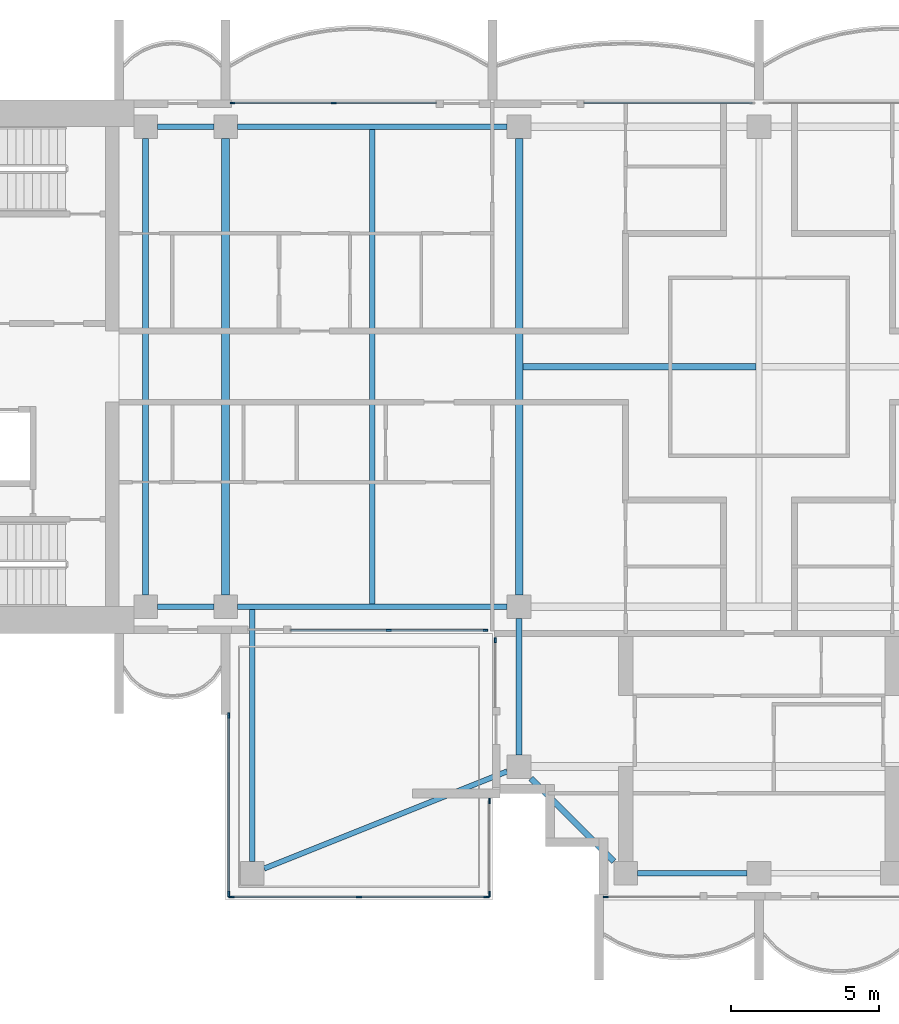
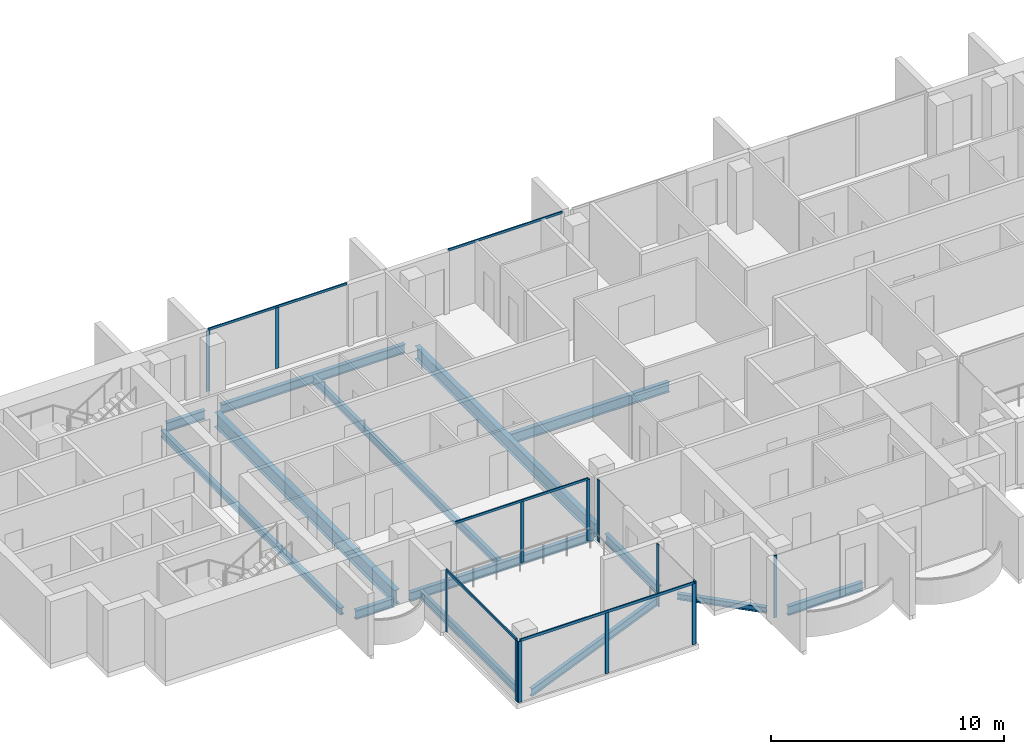
# One storey, part 2 of 16: 18 members, 14 beams, 8 elements without a shape of their own.
"""IFC4 building model written with IfcOpenShell, lengths in metres."""

from ifc_helpers import new_model, si_unit, direction, frame, origin, origin_2d, place, context, subcontext, project, spatial, rectangle, i_section, extrude, material, material_profile, profile_set, type_object, element, aggregate, save


model = new_model("IFC4")

# Units and contexts
model_context = context("Model", 3, precision=1e-05, world=origin(), true_north=direction((0.0, 1.0)))
body_context = subcontext(model_context, "Body", "Model", "MODEL_VIEW")
ifc_project = project(units=[si_unit("LENGTHUNIT", "METRE"), si_unit("AREAUNIT", "SQUARE_METRE"), si_unit("VOLUMEUNIT", "CUBIC_METRE"), si_unit("PLANEANGLEUNIT", "RADIAN"), si_unit("MASSUNIT", "GRAM", prefix="KILO")], contexts=[model_context])

# Site, building, storey
site_placement = place(None, origin())
site = spatial("IfcSite", under=ifc_project, at=site_placement, CompositionType="ELEMENT")
building_placement = place(site_placement, origin())
building = spatial("IfcBuilding", under=site, at=building_placement, Name="Perihelion Cross Residences", CompositionType="ELEMENT")
storey_placement = place(building_placement, frame((0.0, 0.0, 236.0)))
storey = spatial("IfcBuildingStorey", under=building, at=storey_placement, Name="L59", CompositionType="ELEMENT", Elevation=236.0)

# Curtain wall, members
ifc_material_1 = material(Name="Bronze anodised aluminium, tinted glazing", Category="aluminium")
curtain_wall_type_1 = type_object("IfcCurtainWallType", Name="CW1", PredefinedType="NOTDEFINED", material=ifc_material_1)
curtain_wall_1_placement = place(storey_placement, origin())
curtain_wall_1 = element("IfcCurtainWall", 1, at=curtain_wall_1_placement, inside=storey, type_object=curtain_wall_type_1, Name="Curtain wall CW1 L59 west side north bay 1", PredefinedType="NOTDEFINED")
ifc_material_2 = material(Name="Bronze anodised aluminium", Category="aluminium")
ifc_material_profile_1 = material_profile(ifc_material_2, rectangle(XDim=0.06005859375, YDim=0.159912109375, at=origin_2d()), Name="CW1 mullion")
ifc_profile_set_1 = profile_set([ifc_material_profile_1], Name="Bronze anodised aluminium")
member_type_1 = type_object("IfcMemberType", Name="CW1 mullion", PredefinedType="MULLION", material=ifc_profile_set_1)
member_1_placement = place(storey_placement, frame((-14.35009765625, 8.89990234375, 0.0), z_axis=(0.0, 0.0, 1.0), x_axis=(0.0, -1.0, 0.0)))
member_1 = element("IfcMember", 2, at=member_1_placement, type_object=member_type_1, Name="CW1 mullion 2", PredefinedType="MULLION", context=body_context, shape_type="SweptSolid", body=[
    extrude(rectangle(XDim=0.06005859375, YDim=0.159912109375, at=origin_2d()), origin(), (0.0, 0.0, 1.0), 3.18994140625),
])
member_2_placement = place(storey_placement, frame((-17.77001953125, 8.89990234375, 0.0), z_axis=(0.0, 0.0, 1.0), x_axis=(0.0, -1.0, 0.0)))
member_2 = element("IfcMember", 3, at=member_2_placement, type_object=member_type_1, Name="CW1 mullion 3", PredefinedType="MULLION", context=body_context, shape_type="SweptSolid", body=[
    extrude(rectangle(XDim=0.06005859375, YDim=0.159912109375, at=origin_2d()), origin(), (0.0, 0.0, 1.0), 3.18994140625),
])

curtain_wall_2_placement = place(storey_placement, origin())
curtain_wall_2 = element("IfcCurtainWall", 4, at=curtain_wall_2_placement, inside=storey, type_object=curtain_wall_type_1, Name="Curtain wall CW1 L59 west side south bay 2", PredefinedType="NOTDEFINED")
member_3_placement = place(storey_placement, frame((-12.5, -8.89990234375, 0.0), z_axis=(0.0, 0.0, 1.0), x_axis=(0.0, 1.0, 0.0)))
member_3 = element("IfcMember", 5, at=member_3_placement, type_object=member_type_1, Name="CW1 mullion 2", PredefinedType="MULLION", context=body_context, shape_type="SweptSolid", body=[
    extrude(rectangle(XDim=0.06005859375, YDim=0.159912109375, at=origin_2d()), origin(), (0.0, 0.0, 1.0), 3.18994140625),
])
member_4_placement = place(storey_placement, frame((-9.22998046875, -8.89990234375, 0.0), z_axis=(0.0, 0.0, 1.0), x_axis=(0.0, 1.0, 0.0)))
member_4 = element("IfcMember", 6, at=member_4_placement, type_object=member_type_1, Name="CW1 mullion 3", PredefinedType="MULLION", context=body_context, shape_type="SweptSolid", body=[
    extrude(rectangle(XDim=0.06005859375, YDim=0.159912109375, at=origin_2d()), origin(), (0.0, 0.0, 1.0), 3.18994140625),
])

# Curtain wall, member
curtain_wall_3_placement = place(storey_placement, origin())
curtain_wall_3 = element("IfcCurtainWall", 7, at=curtain_wall_3_placement, inside=storey, type_object=curtain_wall_type_1, Name="Curtain wall CW1 L59 south side west bay 1", PredefinedType="NOTDEFINED")
member_5_placement = place(storey_placement, frame((-8.89990234375, -9.22998046875, 0.0), z_axis=(0.0, 0.0, 1.0), x_axis=(1.0, 0.0, 0.0)))
member_5 = element("IfcMember", 8, at=member_5_placement, type_object=member_type_1, Name="CW1 mullion 1", PredefinedType="MULLION", context=body_context, shape_type="SweptSolid", body=[
    extrude(rectangle(XDim=0.06005859375, YDim=0.159912109375, at=origin_2d()), origin(), (0.0, 0.0, 1.0), 3.25),
])
aggregate(curtain_wall_3, [member_5])

curtain_wall_4_placement = place(storey_placement, origin())
curtain_wall_4 = element("IfcCurtainWall", 9, at=curtain_wall_4_placement, inside=storey, type_object=curtain_wall_type_1, Name="Curtain wall CW1 L59 south tip south bay 1", PredefinedType="NOTDEFINED")
member_6_placement = place(storey_placement, frame((-5.169921875, -17.89990234375, 0.0), z_axis=(0.0, 0.0, 1.0), x_axis=(0.0, 1.0, 0.0)))
member_6 = element("IfcMember", 10, at=member_6_placement, type_object=member_type_1, Name="CW1 mullion 1", PredefinedType="MULLION", context=body_context, shape_type="SweptSolid", body=[
    extrude(rectangle(XDim=0.06005859375, YDim=0.159912109375, at=origin_2d()), origin(), (0.0, 0.0, 1.0), 3.25),
])
aggregate(curtain_wall_4, [member_6])

curtain_wall_5_placement = place(storey_placement, origin())
curtain_wall_5 = element("IfcCurtainWall", 11, at=curtain_wall_5_placement, inside=storey, type_object=curtain_wall_type_1, Name="Curtain wall CW1 L59 north side east bay 2", PredefinedType="NOTDEFINED")
ifc_material_3 = material(Name="Bronze anodised aluminium", Category="aluminium")
ifc_material_profile_2 = material_profile(ifc_material_3, rectangle(XDim=0.06005859375, YDim=0.1201171875, at=origin_2d()), Name="CW1 transom")
ifc_profile_set_2 = profile_set([ifc_material_profile_2], Name="Bronze anodised aluminium")
member_type_2 = type_object("IfcMemberType", Name="CW1 transom", PredefinedType="USERDEFINED", material=ifc_profile_set_2)
member_7_placement = place(storey_placement, frame((-0.22998046875, 8.89990234375, 3.219970703125), z_axis=(-1.0, 0.0, 0.0), x_axis=(0.0, -1.0, 0.0)))
member_7 = element("IfcMember", 12, at=member_7_placement, type_object=member_type_2, Name="CW1 head transom", ObjectType="TRANSOM", PredefinedType="USERDEFINED", context=body_context, shape_type="SweptSolid", body=[
    extrude(rectangle(XDim=0.06005859375, YDim=0.1201171875, at=origin_2d()), origin(), (0.0, 0.0, 1.0), 5.669921875),
])
aggregate(curtain_wall_5, [member_7])

# Member
member_8_placement = place(storey_placement, frame((-10.89990234375, 8.89990234375, 3.219970703125), z_axis=(-1.0, 0.0, 0.0), x_axis=(0.0, -1.0, 0.0)))
member_8 = element("IfcMember", 13, at=member_8_placement, type_object=member_type_2, Name="CW1 head transom", ObjectType="TRANSOM", PredefinedType="USERDEFINED", context=body_context, shape_type="SweptSolid", body=[
    extrude(rectangle(XDim=0.06005859375, YDim=0.1201171875, at=origin_2d()), origin(), (0.0, 0.0, 1.0), 6.8701171875),
])

aggregate(curtain_wall_1, [member_1, member_2, member_8])

member_9_placement = place(storey_placement, frame((-15.800048828125, -8.89990234375, 3.219970703125), z_axis=(1.0, 0.0, 0.0), x_axis=(0.0, 1.0, 0.0)))
member_9 = element("IfcMember", 14, at=member_9_placement, type_object=member_type_2, Name="CW1 head transom", ObjectType="TRANSOM", PredefinedType="USERDEFINED", context=body_context, shape_type="SweptSolid", body=[
    extrude(rectangle(XDim=0.06005859375, YDim=0.1201171875, at=origin_2d()), origin(), (0.0, 0.0, 1.0), 6.570068359375),
])

aggregate(curtain_wall_2, [member_3, member_4, member_9])

# Curtain wall, members
ifc_material_4 = material(Name="Bronze anodised aluminium, tinted glazing", Category="aluminium")
curtain_wall_type_2 = type_object("IfcCurtainWallType", Name="CW4", PredefinedType="NOTDEFINED", material=ifc_material_4)
curtain_wall_6_placement = place(storey_placement, origin())
curtain_wall_6 = element("IfcCurtainWall", 15, at=curtain_wall_6_placement, inside=storey, type_object=curtain_wall_type_2, Name="Curtain wall CW4 L59 pocket south-west 1 1", PredefinedType="NOTDEFINED")
ifc_material_5 = material(Name="Bronze anodised aluminium", Category="aluminium")
ifc_material_profile_3 = material_profile(ifc_material_5, rectangle(XDim=0.06005859375, YDim=0.179931640625, at=origin_2d()), Name="CW4 mullion")
ifc_profile_set_3 = profile_set([ifc_material_profile_3], Name="Bronze anodised aluminium")
member_type_3 = type_object("IfcMemberType", Name="CW4 mullion", PredefinedType="MULLION", material=ifc_profile_set_3)
member_10_placement = place(storey_placement, frame((-9.10009765625, -14.658935546875, 0.0), z_axis=(0.0, 0.0, 1.0), x_axis=(1.0, 0.0, 0.0)))
member_10 = element("IfcMember", 16, at=member_10_placement, type_object=member_type_3, Name="CW4 mullion 1", PredefinedType="MULLION", context=body_context, shape_type="SweptSolid", body=[
    extrude(rectangle(XDim=0.06005859375, YDim=0.179931640625, at=origin_2d()), origin(), (0.0, 0.0, 1.0), 3.25),
])
member_11_placement = place(storey_placement, frame((-9.10009765625, -17.800048828125, 0.0), z_axis=(0.0, 0.0, 1.0), x_axis=(1.0, 0.0, 0.0)))
member_11 = element("IfcMember", 17, at=member_11_placement, type_object=member_type_3, Name="CW4 mullion 2", PredefinedType="MULLION", context=body_context, shape_type="SweptSolid", body=[
    extrude(rectangle(XDim=0.06005859375, YDim=0.179931640625, at=origin_2d()), origin(), (0.0, 0.0, 1.0), 3.25),
])
aggregate(curtain_wall_6, [member_10, member_11])

curtain_wall_7_placement = place(storey_placement, origin())
curtain_wall_7 = element("IfcCurtainWall", 18, at=curtain_wall_7_placement, inside=storey, type_object=curtain_wall_type_2, Name="Curtain wall CW4 L59 pocket south-west 1 2", PredefinedType="NOTDEFINED")
member_12_placement = place(storey_placement, frame((-9.199951171875, -17.89990234375, 0.0), z_axis=(0.0, 0.0, 1.0), x_axis=(0.0, -1.0, 0.0)))
member_12 = element("IfcMember", 19, at=member_12_placement, type_object=member_type_3, Name="CW4 mullion 1", PredefinedType="MULLION", context=body_context, shape_type="SweptSolid", body=[
    extrude(rectangle(XDim=0.06005859375, YDim=0.179931640625, at=origin_2d()), origin(), (0.0, 0.0, 1.0), 3.18994140625),
])
member_13_placement = place(storey_placement, frame((-13.5, -17.89990234375, 0.0), z_axis=(0.0, 0.0, 1.0), x_axis=(0.0, -1.0, 0.0)))
member_13 = element("IfcMember", 20, at=member_13_placement, type_object=member_type_3, Name="CW4 mullion 2", PredefinedType="MULLION", context=body_context, shape_type="SweptSolid", body=[
    extrude(rectangle(XDim=0.06005859375, YDim=0.179931640625, at=origin_2d()), origin(), (0.0, 0.0, 1.0), 3.18994140625),
])
member_14_placement = place(storey_placement, frame((-17.800048828125, -17.89990234375, 0.0), z_axis=(0.0, 0.0, 1.0), x_axis=(0.0, -1.0, 0.0)))
member_14 = element("IfcMember", 21, at=member_14_placement, type_object=member_type_3, Name="CW4 mullion 3", PredefinedType="MULLION", context=body_context, shape_type="SweptSolid", body=[
    extrude(rectangle(XDim=0.06005859375, YDim=0.179931640625, at=origin_2d()), origin(), (0.0, 0.0, 1.0), 3.18994140625),
])

curtain_wall_8_placement = place(storey_placement, origin())
curtain_wall_8 = element("IfcCurtainWall", 22, at=curtain_wall_8_placement, inside=storey, type_object=curtain_wall_type_2, Name="Curtain wall CW4 L59 pocket south-west 1 3", PredefinedType="NOTDEFINED")
member_15_placement = place(storey_placement, frame((-17.89990234375, -17.800048828125, 0.0), z_axis=(0.0, 0.0, 1.0), x_axis=(-1.0, 0.0, 0.0)))
member_15 = element("IfcMember", 23, at=member_15_placement, type_object=member_type_3, Name="CW4 mullion 1", PredefinedType="MULLION", context=body_context, shape_type="SweptSolid", body=[
    extrude(rectangle(XDim=0.06005859375, YDim=0.179931640625, at=origin_2d()), origin(), (0.0, 0.0, 1.0), 3.18994140625),
])
member_16_placement = place(storey_placement, frame((-17.89990234375, -11.77001953125, 0.0), z_axis=(0.0, 0.0, 1.0), x_axis=(-1.0, 0.0, 0.0)))
member_16 = element("IfcMember", 24, at=member_16_placement, type_object=member_type_3, Name="CW4 mullion 2", PredefinedType="MULLION", context=body_context, shape_type="SweptSolid", body=[
    extrude(rectangle(XDim=0.06005859375, YDim=0.179931640625, at=origin_2d()), origin(), (0.0, 0.0, 1.0), 3.18994140625),
])

# Member
ifc_material_6 = material(Name="Bronze anodised aluminium", Category="aluminium")
ifc_material_profile_4 = material_profile(ifc_material_6, rectangle(XDim=0.06005859375, YDim=0.139892578125, at=origin_2d()), Name="CW4 transom")
ifc_profile_set_4 = profile_set([ifc_material_profile_4], Name="Bronze anodised aluminium")
member_type_4 = type_object("IfcMemberType", Name="CW4 transom", PredefinedType="USERDEFINED", material=ifc_profile_set_4)
member_17_placement = place(storey_placement, frame((-9.199951171875, -17.89990234375, 3.219970703125), z_axis=(-1.0, 0.0, 0.0), x_axis=(0.0, -1.0, 0.0)))
member_17 = element("IfcMember", 25, at=member_17_placement, type_object=member_type_4, Name="CW4 head transom", ObjectType="TRANSOM", PredefinedType="USERDEFINED", context=body_context, shape_type="SweptSolid", body=[
    extrude(rectangle(XDim=0.06005859375, YDim=0.139892578125, at=origin_2d()), origin(), (0.0, 0.0, 1.0), 8.60009765625),
])

aggregate(curtain_wall_7, [member_12, member_13, member_14, member_17])

member_18_placement = place(storey_placement, frame((-17.89990234375, -17.800048828125, 3.219970703125), z_axis=(0.0, 1.0, 0.0), x_axis=(-1.0, 0.0, 0.0)))
member_18 = element("IfcMember", 26, at=member_18_placement, type_object=member_type_4, Name="CW4 head transom", ObjectType="TRANSOM", PredefinedType="USERDEFINED", context=body_context, shape_type="SweptSolid", body=[
    extrude(rectangle(XDim=0.06005859375, YDim=0.139892578125, at=origin_2d()), origin(), (0.0, 0.0, 1.0), 6.030029296875),
])

aggregate(curtain_wall_8, [member_15, member_16, member_18])

# Beams
ifc_material_7 = material(Name="Steel S355", Category="steel")
ifc_material_profile_5 = material_profile(ifc_material_7, i_section(OverallWidth=0.205078125, OverallDepth=0.35302734375, WebThickness=0.009521484375, FlangeThickness=0.016845703125, at=origin_2d()), Name="W360x79")
ifc_profile_set_5 = profile_set([ifc_material_profile_5], Name="Steel S355")
beam_type_1 = type_object("IfcBeamType", Name="Core edge beam W360x79", PredefinedType="BEAM", material=ifc_profile_set_5)
beam_1_placement = place(storey_placement, frame((-20.699951171875, -7.699951171875, -0.426513671875), z_axis=(0.0, 1.0, 0.0), x_axis=(-1.0, 0.0, 0.0)))
element("IfcBeam", 27, at=beam_1_placement, inside=storey, type_object=beam_type_1, Name="Core edge beam TB7 L59 no. 1", PredefinedType="BEAM", context=body_context, shape_type="SweptSolid", body=[
    extrude(i_section(OverallWidth=0.205078125, OverallDepth=0.35302734375, WebThickness=0.009521484375, FlangeThickness=0.016845703125, at=origin_2d()), origin(), (0.0, 0.0, 1.0), 15.39990234375),
])
ifc_material_8 = material(Name="Steel S355", Category="steel")
ifc_material_profile_6 = material_profile(ifc_material_8, i_section(OverallWidth=0.177978515625, OverallDepth=0.406005859375, WebThickness=0.0078125, FlangeThickness=0.0126953125, at=origin_2d()), Name="W410x60")
ifc_profile_set_6 = profile_set([ifc_material_profile_6], Name="Steel S355")
beam_type_2 = type_object("IfcBeamType", Name="Core edge beam W410x60", PredefinedType="BEAM", material=ifc_profile_set_6)
beam_2_placement = place(storey_placement, frame((-17.10009765625, -8.197021484375, -0.452880859375), z_axis=(0.0, -1.0, 0.0), x_axis=(1.0, 0.0, 0.0)))
element("IfcBeam", 28, at=beam_2_placement, inside=storey, type_object=beam_type_2, Name="Core edge beam TB2 L59 corner no. 1", PredefinedType="BEAM", context=body_context, shape_type="SweptSolid", body=[
    extrude(i_section(OverallWidth=0.177978515625, OverallDepth=0.406005859375, WebThickness=0.0078125, FlangeThickness=0.0126953125, at=origin_2d()), origin(), (0.0, 0.0, 1.0), 8.5029296875),
])
beam_3_placement = place(storey_placement, frame((-8.5, -13.659912109375, -0.452880859375), z_axis=(-0.928474784399, -0.371395442534, 0.0), x_axis=(0.371395442534, -0.928474784399, 0.0)))
element("IfcBeam", 29, at=beam_3_placement, inside=storey, type_object=beam_type_2, Name="Core edge beam TB2 L59 corner no. 2", PredefinedType="BEAM", context=body_context, shape_type="SweptSolid", body=[
    extrude(i_section(OverallWidth=0.177978515625, OverallDepth=0.406005859375, WebThickness=0.0078125, FlangeThickness=0.0126953125, at=origin_2d()), origin(), (0.0, 0.0, 1.0), 8.83154296875),
])
ifc_material_9 = material(Name="Steel S355", Category="steel")
ifc_material_profile_7 = material_profile(ifc_material_9, i_section(OverallWidth=0.194091796875, OverallDepth=0.469970703125, WebThickness=0.0126953125, FlangeThickness=0.0205078125, at=origin_2d()), Name="W460x106")
ifc_profile_set_7 = profile_set([ifc_material_profile_7], Name="Steel S355")
beam_type_3 = type_object("IfcBeamType", Name="Edge beam W460x106", PredefinedType="SPANDREL", material=ifc_profile_set_7)
beam_4_placement = place(storey_placement, frame((-8.5, 8.10009765625, -0.485107421875), z_axis=(-1.0, 0.0, 0.0), x_axis=(0.0, -1.0, 0.0)))
element("IfcBeam", 30, at=beam_4_placement, inside=storey, type_object=beam_type_3, Name="Edge beam SB5 L59 no. 6", PredefinedType="SPANDREL", context=body_context, shape_type="SweptSolid", body=[
    extrude(i_section(OverallWidth=0.194091796875, OverallDepth=0.469970703125, WebThickness=0.0126953125, FlangeThickness=0.0205078125, at=origin_2d()), origin(), (0.0, 0.0, 1.0), 9.10009765625),
])
for number, where, z_axis, x_axis, name in (
    (31, (-18.39990234375, 8.10009765625, -0.485107421875), (-1.0, 0.0, 0.0), (0.0, -1.0, 0.0), "Edge beam SB5 L59 no. 2"),
    (32, (-20.300048828125, -8.10009765625, -0.485107421875), (1.0, 0.0, 0.0), (0.0, 1.0, 0.0), "Edge beam SB5 L59 no. 3"),
):
    element("IfcBeam", number, at=place(storey_placement, frame(where, z_axis=z_axis, x_axis=x_axis)), inside=storey, type_object=beam_type_3, Name=name, PredefinedType="SPANDREL", context=body_context, shape_type="SweptSolid", body=[
        extrude(i_section(OverallWidth=0.194091796875, OverallDepth=0.469970703125, WebThickness=0.0126953125, FlangeThickness=0.0205078125, at=origin_2d()), origin(), (0.0, 0.0, 1.0), 1.900146484375),
    ])
beam_5_placement = place(storey_placement, frame((-17.60009765625, -8.10009765625, -0.485107421875), z_axis=(1.0, 0.0, 0.0), x_axis=(0.0, 1.0, 0.0)))
element("IfcBeam", 33, at=beam_5_placement, inside=storey, type_object=beam_type_3, Name="Edge beam SB5 L59 no. 1", PredefinedType="SPANDREL", context=body_context, shape_type="SweptSolid", body=[
    extrude(i_section(OverallWidth=0.194091796875, OverallDepth=0.469970703125, WebThickness=0.0126953125, FlangeThickness=0.0205078125, at=origin_2d()), origin(), (0.0, 0.0, 1.0), 9.10009765625),
])
beam_6_placement = place(storey_placement, frame((-8.10009765625, -8.5, -0.485107421875), z_axis=(0.0, -1.0, 0.0), x_axis=(1.0, 0.0, 0.0)))
element("IfcBeam", 34, at=beam_6_placement, inside=storey, type_object=beam_type_3, Name="Edge beam SB5 L59 no. 5", PredefinedType="SPANDREL", context=body_context, shape_type="SweptSolid", body=[
    extrude(i_section(OverallWidth=0.194091796875, OverallDepth=0.469970703125, WebThickness=0.0126953125, FlangeThickness=0.0205078125, at=origin_2d()), origin(), (0.0, 0.0, 1.0), 4.60009765625),
])
beam_7_placement = place(storey_placement, frame((-4.10009765625, -17.10009765625, -0.485107421875), z_axis=(1.0, 0.0, 0.0), x_axis=(0.0, 1.0, 0.0)))
element("IfcBeam", 35, at=beam_7_placement, inside=storey, type_object=beam_type_3, Name="Edge beam SB5 L59 no. 4", PredefinedType="SPANDREL", context=body_context, shape_type="SweptSolid", body=[
    extrude(i_section(OverallWidth=0.194091796875, OverallDepth=0.469970703125, WebThickness=0.0126953125, FlangeThickness=0.0205078125, at=origin_2d()), origin(), (0.0, 0.0, 1.0), 3.7001953125),
])
ifc_material_10 = material(Name="Steel S355", Category="steel")
ifc_material_profile_8 = material_profile(ifc_material_10, i_section(OverallWidth=0.26708984375, OverallDepth=0.75390625, WebThickness=0.01318359375, FlangeThickness=0.01708984375, at=origin_2d()), Name="W760x147")
ifc_profile_set_8 = profile_set([ifc_material_profile_8], Name="Steel S355")
beam_type_4 = type_object("IfcBeamType", Name="Floor girder W760x147", PredefinedType="BEAM", material=ifc_profile_set_8)
beam_8_placement = place(storey_placement, frame((-18.0, -7.699951171875, -0.626953125), z_axis=(0.0, 1.0, 0.0), x_axis=(-1.0, 0.0, 0.0)))
element("IfcBeam", 36, at=beam_8_placement, inside=storey, type_object=beam_type_4, Name="Girder G5 L59 no. 1", PredefinedType="BEAM", context=body_context, shape_type="SweptSolid", body=[
    extrude(i_section(OverallWidth=0.26708984375, OverallDepth=0.75390625, WebThickness=0.01318359375, FlangeThickness=0.01708984375, at=origin_2d()), origin(), (0.0, 0.0, 1.0), 15.39990234375),
])
ifc_material_11 = material(Name="Steel S355", Category="steel")
ifc_material_profile_9 = material_profile(ifc_material_11, i_section(OverallWidth=0.177978515625, OverallDepth=0.406005859375, WebThickness=0.0078125, FlangeThickness=0.0126953125, at=origin_2d()), Name="W410x60")
ifc_profile_set_9 = profile_set([ifc_material_profile_9], Name="Steel S355")
beam_type_5 = type_object("IfcBeamType", Name="Floor joist W410x60", PredefinedType="JOIST", material=ifc_profile_set_9)
beam_9_placement = place(storey_placement, frame((-13.050048828125, -8.0029296875, -0.452880859375), z_axis=(0.0, 1.0, 0.0), x_axis=(-1.0, 0.0, 0.0)))
element("IfcBeam", 37, at=beam_9_placement, inside=storey, type_object=beam_type_5, Name="Joist J6 L59 no. 1", PredefinedType="JOIST", context=body_context, shape_type="SweptSolid", body=[
    extrude(i_section(OverallWidth=0.177978515625, OverallDepth=0.406005859375, WebThickness=0.0078125, FlangeThickness=0.0126953125, at=origin_2d()), origin(), (0.0, 0.0, 1.0), 16.005859375),
])
ifc_material_12 = material(Name="Steel S355", Category="steel")
ifc_material_profile_10 = material_profile(ifc_material_12, i_section(OverallWidth=0.208984375, OverallDepth=0.532958984375, WebThickness=0.01025390625, FlangeThickness=0.015625, at=origin_2d()), Name="W530x92")
ifc_profile_set_10 = profile_set([ifc_material_profile_10], Name="Steel S355")
beam_type_6 = type_object("IfcBeamType", Name="Hub cross beam W530x92", PredefinedType="BEAM", material=ifc_profile_set_10)
beam_10_placement = place(storey_placement, frame((-7.972900390625, 0.0, -0.5166015625), z_axis=(1.0, 0.0, 0.0), x_axis=(0.0, 1.0, 0.0)))
element("IfcBeam", 38, at=beam_10_placement, inside=storey, type_object=beam_type_6, Name="Hub cross beam XB5 L59 1 no. 1", PredefinedType="BEAM", context=body_context, shape_type="SweptSolid", body=[
    extrude(i_section(OverallWidth=0.208984375, OverallDepth=0.532958984375, WebThickness=0.01025390625, FlangeThickness=0.015625, at=origin_2d()), origin(), (0.0, 0.0, 1.0), 7.868408203125),
])
ifc_material_13 = material(Name="Steel S355", Category="steel")
ifc_material_profile_11 = material_profile(ifc_material_13, i_section(OverallWidth=0.25390625, OverallDepth=0.677978515625, WebThickness=0.01171875, FlangeThickness=0.016357421875, at=origin_2d()), Name="W690x125")
ifc_profile_set_11 = profile_set([ifc_material_profile_11], Name="Steel S355")
beam_type_7 = type_object("IfcBeamType", Name="Hub ring girder W690x125", PredefinedType="BEAM", material=ifc_profile_set_11)
beam_11_placement = place(storey_placement, frame((-8.10009765625, 7.699951171875, -0.589111328125), z_axis=(0.0, -1.0, 0.0), x_axis=(1.0, 0.0, 0.0)))
element("IfcBeam", 39, at=beam_11_placement, inside=storey, type_object=beam_type_7, Name="Hub ring girder RG5 L59 no. 2", PredefinedType="BEAM", context=body_context, shape_type="SweptSolid", body=[
    extrude(i_section(OverallWidth=0.25390625, OverallDepth=0.677978515625, WebThickness=0.01171875, FlangeThickness=0.016357421875, at=origin_2d()), origin(), (0.0, 0.0, 1.0), 15.39990234375),
])
ifc_material_14 = material(Name="Steel S355", Category="steel")
ifc_material_profile_12 = material_profile(ifc_material_14, i_section(OverallWidth=0.202880859375, OverallDepth=0.302001953125, WebThickness=0.007568359375, FlangeThickness=0.01318359375, at=origin_2d()), Name="W310x60")
ifc_profile_set_12 = profile_set([ifc_material_profile_12], Name="Steel S355")
beam_type_8 = type_object("IfcBeamType", Name="Serration edge beam W310x60", PredefinedType="BEAM", material=ifc_profile_set_12)
beam_12_placement = place(storey_placement, frame((-7.699951171875, -13.89990234375, -0.40087890625), z_axis=(0.707106781187, -0.707106781187, 0.0), x_axis=(0.707106781187, 0.707106781187, 0.0)))
element("IfcBeam", 40, at=beam_12_placement, inside=storey, type_object=beam_type_8, Name="Serration edge beam EB5 L59 no. 1", PredefinedType="BEAM", context=body_context, shape_type="SweptSolid", body=[
    extrude(i_section(OverallWidth=0.202880859375, OverallDepth=0.302001953125, WebThickness=0.007568359375, FlangeThickness=0.01318359375, at=origin_2d()), origin(), (0.0, 0.0, 1.0), 3.9599609375),
])

save(model, "model.ifc")
